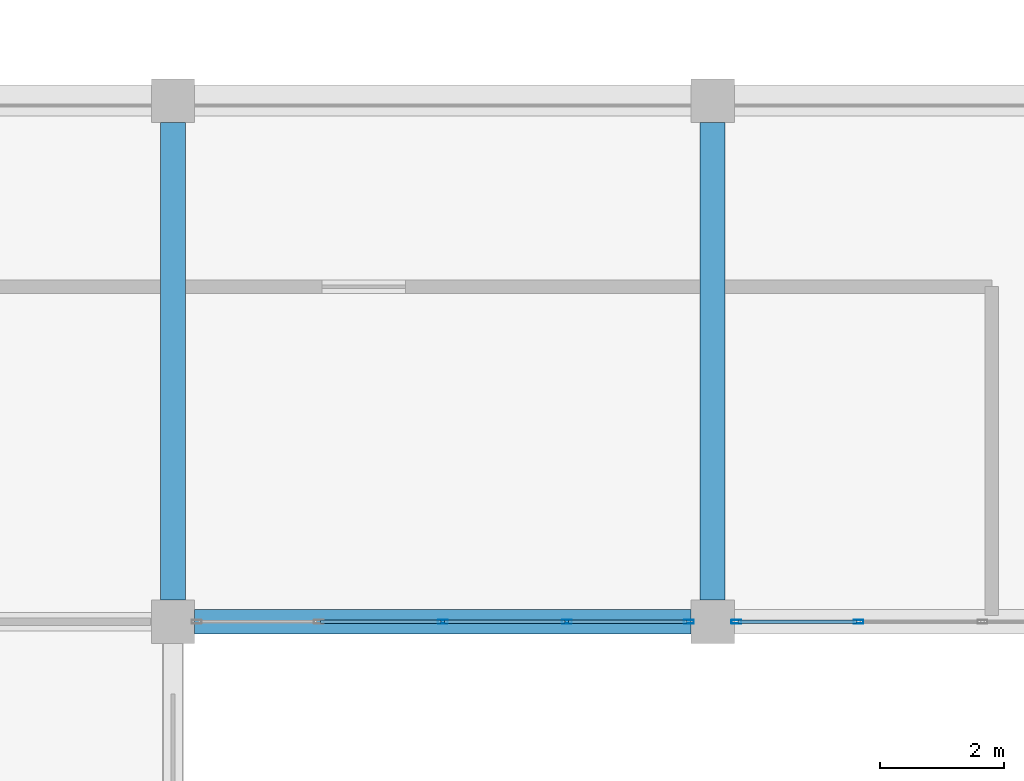
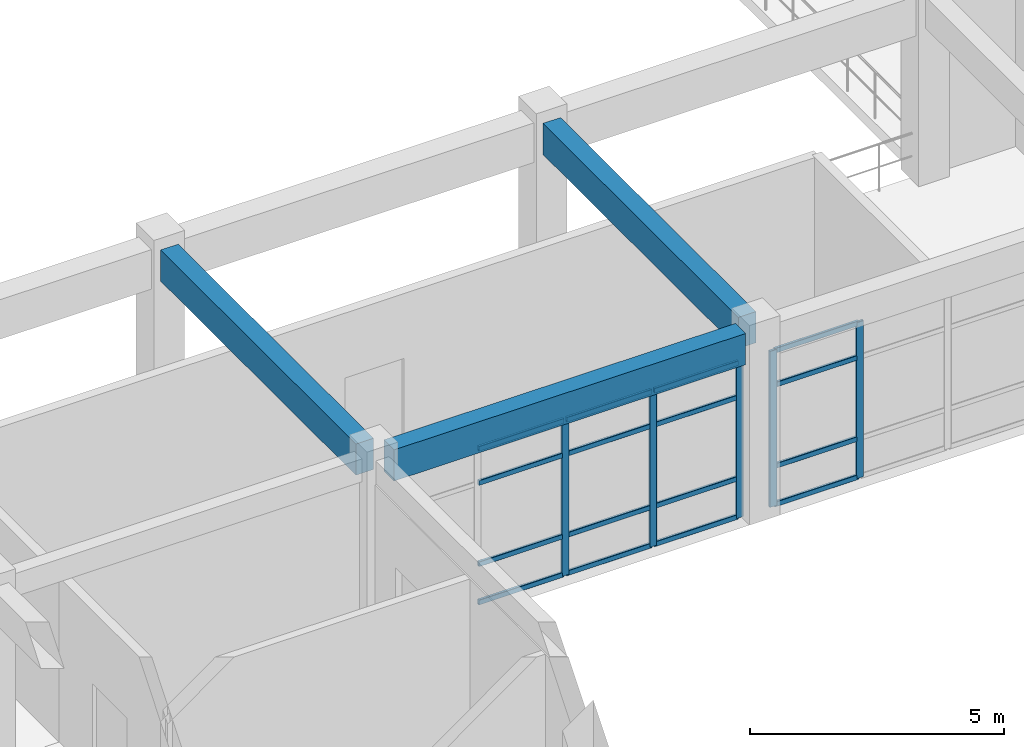
# One storey, part 28 of 64: 21 members, 3 beams, 2 elements without a shape of their own.
"""IFC4 building model written with IfcOpenShell, lengths in metres."""

from ifc_helpers import new_model, si_unit, derived_unit, direction, frame, origin, origin_2d, place, context, subcontext, project, spatial, rectangle, hollow_rectangle, extrude, material, layer, layer_set, material_profile, profile_set, type_object, element, aggregate, save


model = new_model("IFC4")

# Units and contexts
model_context = context("Model", 3, precision=1e-05, world=origin(), true_north=direction((0.0, 1.0)))
body_context = subcontext(model_context, "Body", "Model", "MODEL_VIEW")
ifc_project = project(units=[si_unit("LENGTHUNIT", "METRE"), si_unit("AREAUNIT", "SQUARE_METRE"), si_unit("VOLUMEUNIT", "CUBIC_METRE"), si_unit("PLANEANGLEUNIT", "RADIAN"), si_unit("MASSUNIT", "GRAM", prefix="KILO"), derived_unit("THERMALTRANSMITTANCEUNIT", [(si_unit("MASSUNIT", "GRAM", prefix="KILO"), 1), (si_unit("TIMEUNIT", "SECOND"), -3), (si_unit("THERMODYNAMICTEMPERATUREUNIT", "KELVIN"), -1)])], contexts=[model_context])

# Site, building, storey
site_placement = place(None, origin())
site = spatial("IfcSite", under=ifc_project, at=site_placement, CompositionType="ELEMENT")
building_placement = place(site_placement, origin())
building = spatial("IfcBuilding", under=site, at=building_placement, Name="Qinzheling Arcade Emporium", CompositionType="ELEMENT")
storey_placement = place(building_placement, frame((0.0, 0.0, 31.5)))
storey = spatial("IfcBuildingStorey", under=building, at=storey_placement, Name="L07", CompositionType="ELEMENT", Elevation=31.5)

# Curtain wall, members
ifc_material_1 = material(Name="Anodised aluminium and solar-control double glazing", Category="aluminium")
ifc_layer = layer(ifc_material_1, 0.159912109375, Name="Anodised aluminium and solar-control double glazing", Category="aluminium")
ifc_layer_set = layer_set([ifc_layer], Name="Anodised aluminium and solar-control double glazing")
curtain_wall_type = type_object("IfcCurtainWallType", Name="Atrium Clerestory Curtain Wall", PredefinedType="NOTDEFINED", material=ifc_layer_set)
curtain_wall_1_placement = place(storey_placement, origin())
curtain_wall_1 = element("IfcCurtainWall", 1, at=curtain_wall_1_placement, inside=storey, type_object=curtain_wall_type, Name="Curtain Wall CW-L07-429", PredefinedType="NOTDEFINED")
ifc_material_2 = material(Name="Anodised aluminium 6063-T6", Category="aluminium")
ifc_material_profile_1 = material_profile(ifc_material_2, hollow_rectangle(XDim=0.06005859375, YDim=0.159912109375, WallThickness=0.00390625, InnerFilletRadius=0.00390625, OuterFilletRadius=0.008056640625, at=origin_2d()), Name="RHS 160x60x4", Category="aluminium")
ifc_profile_set_1 = profile_set([ifc_material_profile_1], Name="Anodised aluminium 6063-T6")
member_type_1 = type_object("IfcMemberType", Name="Curtain Wall Mullion RHS160x60", PredefinedType="MULLION", material=ifc_profile_set_1)
member_1_placement = place(storey_placement, frame((80.65087890625, 42.0, 0.0), z_axis=(0.0, 0.0, 1.0), x_axis=(0.0, -1.0, 0.0)))
member_1 = element("IfcMember", 2, at=member_1_placement, type_object=member_type_1, Name="CW03 mullion 4", PredefinedType="MULLION", context=body_context, shape_type="SweptSolid", body=[
    extrude(hollow_rectangle(XDim=0.06005859375, YDim=0.159912109375, WallThickness=0.00390625, InnerFilletRadius=0.00390625, OuterFilletRadius=0.008056640625, at=origin_2d()), origin(), (0.0, 0.0, 1.0), 3.7548828125),
])
member_2_placement = place(storey_placement, frame((78.681884765625, 42.0, 0.0), z_axis=(0.0, 0.0, 1.0), x_axis=(0.0, -1.0, 0.0)))
member_2 = element("IfcMember", 3, at=member_2_placement, type_object=member_type_1, Name="CW03 mullion 5", PredefinedType="MULLION", context=body_context, shape_type="SweptSolid", body=[
    extrude(hollow_rectangle(XDim=0.06005859375, YDim=0.159912109375, WallThickness=0.00390625, InnerFilletRadius=0.00390625, OuterFilletRadius=0.008056640625, at=origin_2d()), origin(), (0.0, 0.0, 1.0), 3.7548828125),
])

curtain_wall_2_placement = place(storey_placement, origin())
curtain_wall_2 = element("IfcCurtainWall", 4, at=curtain_wall_2_placement, inside=storey, type_object=curtain_wall_type, Name="Curtain Wall CW-L07-430", PredefinedType="NOTDEFINED")
member_3_placement = place(storey_placement, frame((77.91796875, 42.0, 0.0), z_axis=(0.0, 0.0, 1.0), x_axis=(0.0, -1.0, 0.0)))
member_3 = element("IfcMember", 5, at=member_3_placement, type_object=member_type_1, Name="CW03 mullion 1", PredefinedType="MULLION", context=body_context, shape_type="SweptSolid", body=[
    extrude(hollow_rectangle(XDim=0.06005859375, YDim=0.159912109375, WallThickness=0.00390625, InnerFilletRadius=0.00390625, OuterFilletRadius=0.008056640625, at=origin_2d()), origin(), (0.0, 0.0, 1.0), 3.7548828125),
])
member_4_placement = place(storey_placement, frame((75.948974609375, 42.0, 0.0), z_axis=(0.0, 0.0, 1.0), x_axis=(0.0, -1.0, 0.0)))
member_4 = element("IfcMember", 6, at=member_4_placement, type_object=member_type_1, Name="CW03 mullion 2", PredefinedType="MULLION", context=body_context, shape_type="SweptSolid", body=[
    extrude(hollow_rectangle(XDim=0.06005859375, YDim=0.159912109375, WallThickness=0.00390625, InnerFilletRadius=0.00390625, OuterFilletRadius=0.008056640625, at=origin_2d()), origin(), (0.0, 0.0, 1.0), 3.7548828125),
])
member_5_placement = place(storey_placement, frame((73.949951171875, 42.0, 0.0), z_axis=(0.0, 0.0, 1.0), x_axis=(0.0, -1.0, 0.0)))
member_5 = element("IfcMember", 7, at=member_5_placement, type_object=member_type_1, Name="CW03 mullion 3", PredefinedType="MULLION", context=body_context, shape_type="SweptSolid", body=[
    extrude(hollow_rectangle(XDim=0.06005859375, YDim=0.159912109375, WallThickness=0.00390625, InnerFilletRadius=0.00390625, OuterFilletRadius=0.008056640625, at=origin_2d()), origin(), (0.0, 0.0, 1.0), 3.7548828125),
])

# Member
ifc_material_profile_2 = material_profile(ifc_material_2, hollow_rectangle(XDim=0.06005859375, YDim=0.1201171875, WallThickness=0.00390625, InnerFilletRadius=0.00390625, OuterFilletRadius=0.008056640625, at=origin_2d()), Name="RHS 120x60x4", Category="aluminium")
ifc_profile_set_2 = profile_set([ifc_material_profile_2], Name="Anodised aluminium 6063-T6")
member_type_2 = type_object("IfcMemberType", Name="Curtain Wall Transom RHS120x60", PredefinedType="USERDEFINED", material=ifc_profile_set_2)
member_6_placement = place(storey_placement, frame((80.62109375, 42.0, 0.030029296875), z_axis=(-1.0, 0.0, 0.0), x_axis=(0.0, -1.0, 0.0)))
member_6 = element("IfcMember", 8, at=member_6_placement, type_object=member_type_2, Name="CW03 transom 4.1", ObjectType="TRANSOM", PredefinedType="USERDEFINED", context=body_context, shape_type="SweptSolid", body=[
    extrude(hollow_rectangle(XDim=0.06005859375, YDim=0.1201171875, WallThickness=0.00390625, InnerFilletRadius=0.00390625, OuterFilletRadius=0.008056640625, at=origin_2d()), origin(), (0.0, 0.0, 1.0), 1.9091796875),
])

member_7_placement = place(storey_placement, frame((80.62109375, 42.0, 0.949951171875), z_axis=(-1.0, 0.0, 0.0), x_axis=(0.0, -1.0, 0.0)))
member_7 = element("IfcMember", 9, at=member_7_placement, type_object=member_type_2, Name="CW03 transom 4.2", ObjectType="TRANSOM", PredefinedType="USERDEFINED", context=body_context, shape_type="SweptSolid", body=[
    extrude(hollow_rectangle(XDim=0.06005859375, YDim=0.1201171875, WallThickness=0.00390625, InnerFilletRadius=0.00390625, OuterFilletRadius=0.008056640625, at=origin_2d()), origin(), (0.0, 0.0, 1.0), 1.9091796875),
])

member_8_placement = place(storey_placement, frame((80.62109375, 42.0, 2.905029296875), z_axis=(-1.0, 0.0, 0.0), x_axis=(0.0, -1.0, 0.0)))
member_8 = element("IfcMember", 10, at=member_8_placement, type_object=member_type_2, Name="CW03 transom 4.3", ObjectType="TRANSOM", PredefinedType="USERDEFINED", context=body_context, shape_type="SweptSolid", body=[
    extrude(hollow_rectangle(XDim=0.06005859375, YDim=0.1201171875, WallThickness=0.00390625, InnerFilletRadius=0.00390625, OuterFilletRadius=0.008056640625, at=origin_2d()), origin(), (0.0, 0.0, 1.0), 1.9091796875),
])

member_9_placement = place(storey_placement, frame((80.62109375, 42.0, 3.72509765625), z_axis=(-1.0, 0.0, 0.0), x_axis=(0.0, -1.0, 0.0)))
member_9 = element("IfcMember", 11, at=member_9_placement, type_object=member_type_2, Name="CW03 transom 4.4", ObjectType="TRANSOM", PredefinedType="USERDEFINED", context=body_context, shape_type="SweptSolid", body=[
    extrude(hollow_rectangle(XDim=0.06005859375, YDim=0.1201171875, WallThickness=0.00390625, InnerFilletRadius=0.00390625, OuterFilletRadius=0.008056640625, at=origin_2d()), origin(), (0.0, 0.0, 1.0), 1.9091796875),
])

aggregate(curtain_wall_1, [member_1, member_2, member_6, member_7, member_8, member_9])

member_10_placement = place(storey_placement, frame((77.887939453125, 42.0, 0.030029296875), z_axis=(-1.0, 0.0, 0.0), x_axis=(0.0, -1.0, 0.0)))
member_10 = element("IfcMember", 12, at=member_10_placement, type_object=member_type_2, Name="CW03 transom 1.1", ObjectType="TRANSOM", PredefinedType="USERDEFINED", context=body_context, shape_type="SweptSolid", body=[
    extrude(hollow_rectangle(XDim=0.06005859375, YDim=0.1201171875, WallThickness=0.00390625, InnerFilletRadius=0.00390625, OuterFilletRadius=0.008056640625, at=origin_2d()), origin(), (0.0, 0.0, 1.0), 1.908935546875),
])

member_11_placement = place(storey_placement, frame((77.887939453125, 42.0, 0.949951171875), z_axis=(-1.0, 0.0, 0.0), x_axis=(0.0, -1.0, 0.0)))
member_11 = element("IfcMember", 13, at=member_11_placement, type_object=member_type_2, Name="CW03 transom 1.2", ObjectType="TRANSOM", PredefinedType="USERDEFINED", context=body_context, shape_type="SweptSolid", body=[
    extrude(hollow_rectangle(XDim=0.06005859375, YDim=0.1201171875, WallThickness=0.00390625, InnerFilletRadius=0.00390625, OuterFilletRadius=0.008056640625, at=origin_2d()), origin(), (0.0, 0.0, 1.0), 1.908935546875),
])

member_12_placement = place(storey_placement, frame((77.887939453125, 42.0, 2.905029296875), z_axis=(-1.0, 0.0, 0.0), x_axis=(0.0, -1.0, 0.0)))
member_12 = element("IfcMember", 14, at=member_12_placement, type_object=member_type_2, Name="CW03 transom 1.3", ObjectType="TRANSOM", PredefinedType="USERDEFINED", context=body_context, shape_type="SweptSolid", body=[
    extrude(hollow_rectangle(XDim=0.06005859375, YDim=0.1201171875, WallThickness=0.00390625, InnerFilletRadius=0.00390625, OuterFilletRadius=0.008056640625, at=origin_2d()), origin(), (0.0, 0.0, 1.0), 1.908935546875),
])

member_13_placement = place(storey_placement, frame((77.887939453125, 42.0, 3.72509765625), z_axis=(-1.0, 0.0, 0.0), x_axis=(0.0, -1.0, 0.0)))
member_13 = element("IfcMember", 15, at=member_13_placement, type_object=member_type_2, Name="CW03 transom 1.4", ObjectType="TRANSOM", PredefinedType="USERDEFINED", context=body_context, shape_type="SweptSolid", body=[
    extrude(hollow_rectangle(XDim=0.06005859375, YDim=0.1201171875, WallThickness=0.00390625, InnerFilletRadius=0.00390625, OuterFilletRadius=0.008056640625, at=origin_2d()), origin(), (0.0, 0.0, 1.0), 1.908935546875),
])

member_14_placement = place(storey_placement, frame((75.9189453125, 42.0, 0.030029296875), z_axis=(-1.0, 0.0, 0.0), x_axis=(0.0, -1.0, 0.0)))
member_14 = element("IfcMember", 16, at=member_14_placement, type_object=member_type_2, Name="CW03 transom 2.1", ObjectType="TRANSOM", PredefinedType="USERDEFINED", context=body_context, shape_type="SweptSolid", body=[
    extrude(hollow_rectangle(XDim=0.06005859375, YDim=0.1201171875, WallThickness=0.00390625, InnerFilletRadius=0.00390625, OuterFilletRadius=0.008056640625, at=origin_2d()), origin(), (0.0, 0.0, 1.0), 1.93896484375),
])

member_15_placement = place(storey_placement, frame((75.9189453125, 42.0, 0.949951171875), z_axis=(-1.0, 0.0, 0.0), x_axis=(0.0, -1.0, 0.0)))
member_15 = element("IfcMember", 17, at=member_15_placement, type_object=member_type_2, Name="CW03 transom 2.2", ObjectType="TRANSOM", PredefinedType="USERDEFINED", context=body_context, shape_type="SweptSolid", body=[
    extrude(hollow_rectangle(XDim=0.06005859375, YDim=0.1201171875, WallThickness=0.00390625, InnerFilletRadius=0.00390625, OuterFilletRadius=0.008056640625, at=origin_2d()), origin(), (0.0, 0.0, 1.0), 1.93896484375),
])

member_16_placement = place(storey_placement, frame((75.9189453125, 42.0, 2.905029296875), z_axis=(-1.0, 0.0, 0.0), x_axis=(0.0, -1.0, 0.0)))
member_16 = element("IfcMember", 18, at=member_16_placement, type_object=member_type_2, Name="CW03 transom 2.3", ObjectType="TRANSOM", PredefinedType="USERDEFINED", context=body_context, shape_type="SweptSolid", body=[
    extrude(hollow_rectangle(XDim=0.06005859375, YDim=0.1201171875, WallThickness=0.00390625, InnerFilletRadius=0.00390625, OuterFilletRadius=0.008056640625, at=origin_2d()), origin(), (0.0, 0.0, 1.0), 1.93896484375),
])

member_17_placement = place(storey_placement, frame((75.9189453125, 42.0, 3.72509765625), z_axis=(-1.0, 0.0, 0.0), x_axis=(0.0, -1.0, 0.0)))
member_17 = element("IfcMember", 19, at=member_17_placement, type_object=member_type_2, Name="CW03 transom 2.4", ObjectType="TRANSOM", PredefinedType="USERDEFINED", context=body_context, shape_type="SweptSolid", body=[
    extrude(hollow_rectangle(XDim=0.06005859375, YDim=0.1201171875, WallThickness=0.00390625, InnerFilletRadius=0.00390625, OuterFilletRadius=0.008056640625, at=origin_2d()), origin(), (0.0, 0.0, 1.0), 1.93896484375),
])

member_18_placement = place(storey_placement, frame((73.919921875, 42.0, 0.030029296875), z_axis=(-1.0, 0.0, 0.0), x_axis=(0.0, -1.0, 0.0)))
member_18 = element("IfcMember", 20, at=member_18_placement, type_object=member_type_2, Name="CW03 transom 3.1", ObjectType="TRANSOM", PredefinedType="USERDEFINED", context=body_context, shape_type="SweptSolid", body=[
    extrude(hollow_rectangle(XDim=0.06005859375, YDim=0.1201171875, WallThickness=0.00390625, InnerFilletRadius=0.00390625, OuterFilletRadius=0.008056640625, at=origin_2d()), origin(), (0.0, 0.0, 1.0), 1.93896484375),
])

member_19_placement = place(storey_placement, frame((73.919921875, 42.0, 0.949951171875), z_axis=(-1.0, 0.0, 0.0), x_axis=(0.0, -1.0, 0.0)))
member_19 = element("IfcMember", 21, at=member_19_placement, type_object=member_type_2, Name="CW03 transom 3.2", ObjectType="TRANSOM", PredefinedType="USERDEFINED", context=body_context, shape_type="SweptSolid", body=[
    extrude(hollow_rectangle(XDim=0.06005859375, YDim=0.1201171875, WallThickness=0.00390625, InnerFilletRadius=0.00390625, OuterFilletRadius=0.008056640625, at=origin_2d()), origin(), (0.0, 0.0, 1.0), 1.93896484375),
])

member_20_placement = place(storey_placement, frame((73.919921875, 42.0, 2.905029296875), z_axis=(-1.0, 0.0, 0.0), x_axis=(0.0, -1.0, 0.0)))
member_20 = element("IfcMember", 22, at=member_20_placement, type_object=member_type_2, Name="CW03 transom 3.3", ObjectType="TRANSOM", PredefinedType="USERDEFINED", context=body_context, shape_type="SweptSolid", body=[
    extrude(hollow_rectangle(XDim=0.06005859375, YDim=0.1201171875, WallThickness=0.00390625, InnerFilletRadius=0.00390625, OuterFilletRadius=0.008056640625, at=origin_2d()), origin(), (0.0, 0.0, 1.0), 1.93896484375),
])

member_21_placement = place(storey_placement, frame((73.919921875, 42.0, 3.72509765625), z_axis=(-1.0, 0.0, 0.0), x_axis=(0.0, -1.0, 0.0)))
member_21 = element("IfcMember", 23, at=member_21_placement, type_object=member_type_2, Name="CW03 transom 3.4", ObjectType="TRANSOM", PredefinedType="USERDEFINED", context=body_context, shape_type="SweptSolid", body=[
    extrude(hollow_rectangle(XDim=0.06005859375, YDim=0.1201171875, WallThickness=0.00390625, InnerFilletRadius=0.00390625, OuterFilletRadius=0.008056640625, at=origin_2d()), origin(), (0.0, 0.0, 1.0), 1.93896484375),
])

aggregate(curtain_wall_2, [member_3, member_4, member_5, member_10, member_11, member_12, member_13, member_14, member_15, member_16, member_17, member_18, member_19, member_20, member_21])

# Beams
ifc_material_3 = material(Name="Concrete C40", Category="concrete")
ifc_material_profile_3 = material_profile(ifc_material_3, rectangle(XDim=0.39990234375, YDim=0.75, at=origin_2d()), Name="RC 400x750", Category="concrete")
ifc_profile_set_3 = profile_set([ifc_material_profile_3], Name="Concrete C40")
beam_type = type_object("IfcBeamType", Name="RC Interior Tie Beam 400x750 C40", PredefinedType="BEAM", material=ifc_profile_set_3)
beam_placement = place(storey_placement, frame((69.949951171875, 42.0, 4.14501953125), z_axis=(1.0, 0.0, 0.0), x_axis=(0.0, 1.0, 0.0)))
element("IfcBeam", 24, at=beam_placement, inside=storey, type_object=beam_type, Name="Beam BM-L07-X-F-9", PredefinedType="BEAM", context=body_context, shape_type="SweptSolid", body=[
    extrude(rectangle(XDim=0.39990234375, YDim=0.75, at=origin_2d()), origin(), (0.0, 0.0, 1.0), 8.0),
])
for number, where, z_axis, x_axis, name in (
    (25, (69.60009765625, 42.35009765625, 4.14501953125), (0.0, 1.0, 0.0), (-1.0, 0.0, 0.0), "Beam BM-L07-Y-9-F"),
    (26, (78.300048828125, 42.35009765625, 4.14501953125), (0.0, 1.0, 0.0), (-1.0, 0.0, 0.0), "Beam BM-L07-Y-10-F"),
):
    element("IfcBeam", number, at=place(storey_placement, frame(where, z_axis=z_axis, x_axis=x_axis)), inside=storey, type_object=beam_type, Name=name, PredefinedType="BEAM", context=body_context, shape_type="SweptSolid", body=[
        extrude(rectangle(XDim=0.39990234375, YDim=0.75, at=origin_2d()), origin(), (0.0, 0.0, 1.0), 7.699951171875),
    ])

save(model, "model.ifc")
